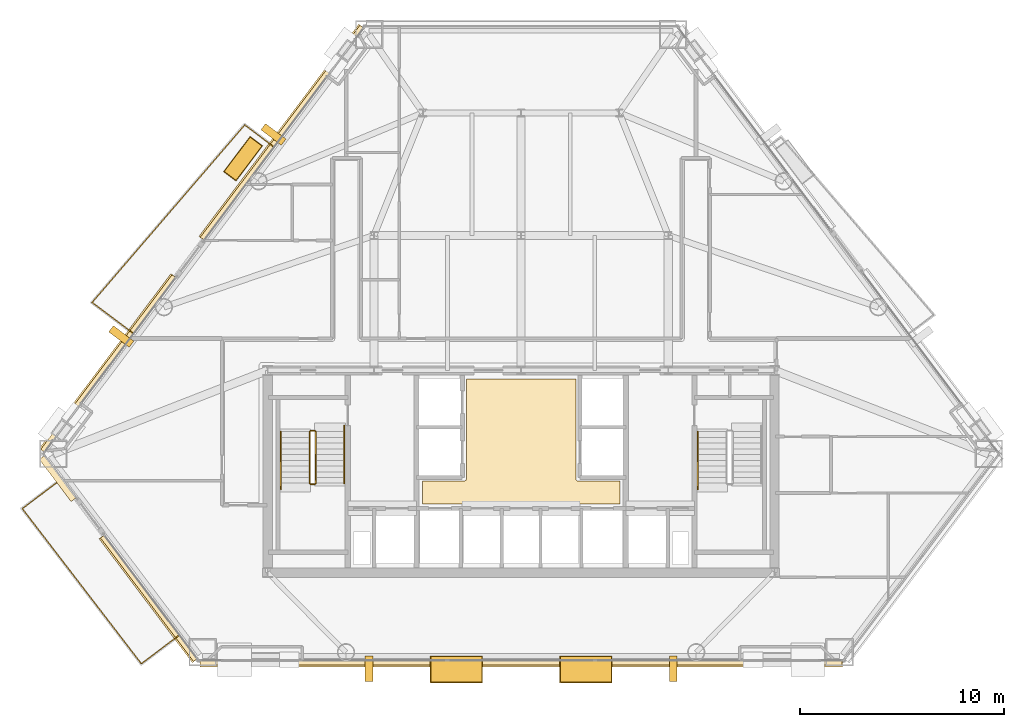
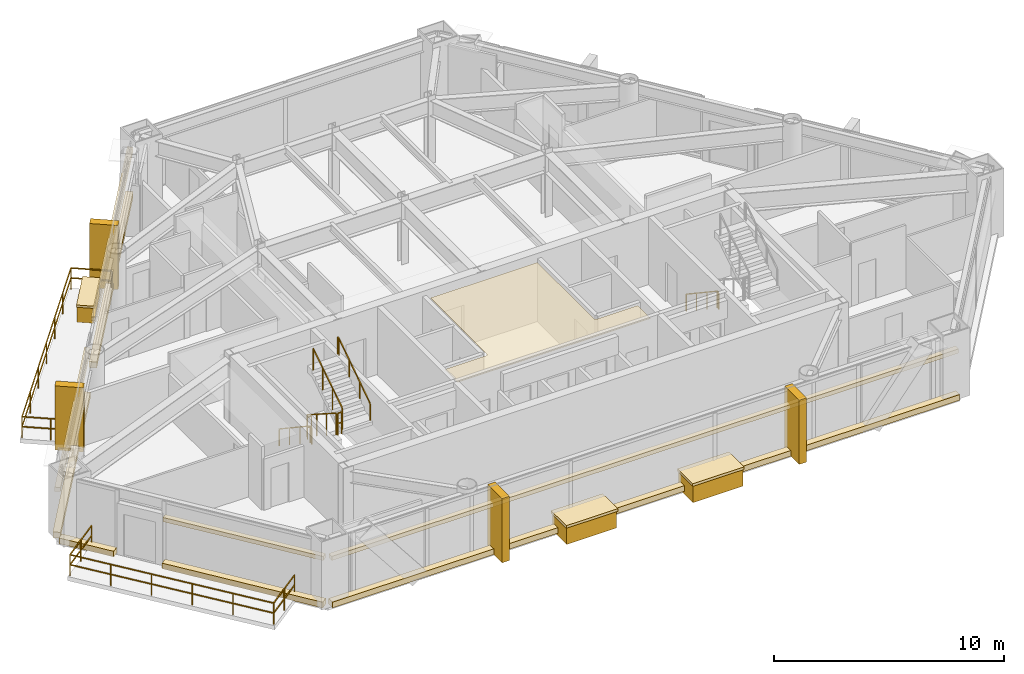
# One storey, part 13 of 14: 20 coverings, 9 railings.
"""IFC4 building model written with IfcOpenShell, lengths in metres."""

from ifc_helpers import new_model, si_unit, direction, frame, origin, origin_2d, place, context, subcontext, project, spatial, polyline, rectangle, outline, extrude, material, layer, layer_set, type_object, element, save


model = new_model("IFC4")

# Units and contexts
model_context = context("Model", 3, precision=1e-05, world=origin(), true_north=direction((0.0, 1.0)))
body_context = subcontext(model_context, "Body", "Model", "MODEL_VIEW")
ifc_project = project(units=[si_unit("LENGTHUNIT", "METRE"), si_unit("AREAUNIT", "SQUARE_METRE"), si_unit("VOLUMEUNIT", "CUBIC_METRE"), si_unit("PLANEANGLEUNIT", "RADIAN"), si_unit("MASSUNIT", "GRAM", prefix="KILO")], contexts=[model_context])

# Site, building, storey
site_placement = place(None, origin())
site = spatial("IfcSite", under=ifc_project, at=site_placement, CompositionType="ELEMENT")
building_placement = place(site_placement, origin())
building = spatial("IfcBuilding", under=site, at=building_placement, Name="Talgorran Terracotta Tower", CompositionType="ELEMENT")
storey_placement = place(building_placement, frame((0.0, 0.0, 53.10009765625)))
storey = spatial("IfcBuildingStorey", under=building, at=storey_placement, Name="L13", CompositionType="ELEMENT", Elevation=53.10009765625)

# Coverings
ifc_material_1 = material(Name="Kiln-Fired Terracotta Ochre Ceramic", Category="masonry")
ifc_layer_1 = layer(ifc_material_1, 0.179931640625, Name="COV_BAGUETTE_TERRACOTTA_SCREEN")
ifc_layer_set_1 = layer_set([ifc_layer_1], Name="Kiln-Fired Terracotta Ochre Ceramic")
covering_type_1 = type_object("IfcCoveringType", Name="COV_BAGUETTE_TERRACOTTA_SCREEN", PredefinedType="CLADDING", material=ifc_layer_set_1)
covering_1_placement = place(storey_placement, frame((-18.19873046875, -15.34326171875, 2.41015625), z_axis=(0.0, 0.0, 1.0), x_axis=(0.601452551903, -0.798908522805, 0.0)))
element("IfcCovering", 1, at=covering_1_placement, inside=storey, type_object=covering_type_1, Name="L13 Terracotta Baguette Solar Screen Assembly F11", PredefinedType="CLADDING", context=body_context, shape_type="SweptSolid", body=[
    extrude(rectangle(XDim=7.560546875, YDim=0.260009765625, at=origin_2d()), origin(), (0.0, 0.0, 1.0), 0.219970703125),
])
covering_2_placement = place(storey_placement, frame((0.0, -18.4912109375, 2.41015625), z_axis=(0.0, 0.0, 1.0), x_axis=(1.0, 0.0, 0.0)))
element("IfcCovering", 2, at=covering_2_placement, inside=storey, type_object=covering_type_1, Name="L13 Terracotta Baguette Solar Screen Assembly F1", PredefinedType="CLADDING", context=body_context, shape_type="SweptSolid", body=[
    extrude(rectangle(XDim=31.418212890625, YDim=0.260009765625, at=origin_2d()), origin(), (0.0, 0.0, 1.0), 0.219970703125),
])
covering_3_placement = place(storey_placement, frame((-11.68701171875, 7.419921875, 2.41015625), z_axis=(0.0, 0.0, 1.0), x_axis=(-0.601438608227, -0.79891902001, 0.0)))
element("IfcCovering", 3, at=covering_3_placement, inside=storey, type_object=covering_type_1, Name="L13 Terracotta Baguette Solar Screen Assembly F60", PredefinedType="CLADDING", context=body_context, shape_type="SweptSolid", body=[
    extrude(rectangle(XDim=12.9814453125, YDim=0.260009765625, at=origin_2d()), origin(), (0.0, 0.0, 1.0), 0.219970703125),
])
covering_4_placement = place(storey_placement, frame((-20.18701171875, -3.870849609375, 2.41015625), z_axis=(0.0, 0.0, 1.0), x_axis=(-0.601438608227, -0.79891902001, 0.0)))
element("IfcCovering", 4, at=covering_4_placement, inside=storey, type_object=covering_type_1, Name="L13 Terracotta Baguette Solar Screen Assembly F61", PredefinedType="CLADDING", context=body_context, shape_type="SweptSolid", body=[
    extrude(rectangle(XDim=10.68359375, YDim=0.260009765625, at=origin_2d()), origin(), (0.0, 0.0, 1.0), 0.219970703125),
])
ifc_material_2 = material(Name="Flush Moisture-Resistant Plaster")
ifc_layer_2 = layer(ifc_material_2, 0.01806640625, Name="COV_CEIL_PLASTER")
ifc_layer_set_2 = layer_set([ifc_layer_2], Name="Flush Moisture-Resistant Plaster")
covering_type_2 = type_object("IfcCoveringType", Name="COV_CEIL_PLASTER", PredefinedType="CEILING", material=ifc_layer_set_2)
covering_5_placement = place(storey_placement, frame((0.0, 0.0, 3.260009765625)))
element("IfcCovering", 5, at=covering_5_placement, inside=storey, type_object=covering_type_2, Name="CEIL-L13-1", PredefinedType="CEILING", context=body_context, shape_type="SweptSolid", body=[
    extrude(outline(polyline([(-4.830078125, -9.6201171875), (-2.800048828125, -9.6201171875), (-2.7880859375, -9.619384765625), (-2.776611328125, -9.61767578125), (-2.76513671875, -9.61474609375), (-2.754150390625, -9.61083984375), (-2.743408203125, -9.605712890625), (-2.7333984375, -9.599853515625), (-2.723876953125, -9.5927734375), (-2.715087890625, -9.5849609375), (-2.707275390625, -9.576171875), (-2.7001953125, -9.566650390625), (-2.694091796875, -9.556640625), (-2.689208984375, -9.5458984375), (-2.685302734375, -9.534912109375), (-2.682373046875, -9.5234375), (-2.6806640625, -9.51171875), (-2.679931640625, -9.5), (-2.679931640625, -4.6201171875), (2.679931640625, -4.6201171875), (2.679931640625, -9.5), (2.6806640625, -9.51171875), (2.682373046875, -9.5234375), (2.685302734375, -9.534912109375), (2.689208984375, -9.5458984375), (2.694091796875, -9.556640625), (2.7001953125, -9.566650390625), (2.707275390625, -9.576171875), (2.715087890625, -9.5849609375), (2.723876953125, -9.5927734375), (2.7333984375, -9.599853515625), (2.743408203125, -9.605712890625), (2.754150390625, -9.61083984375), (2.76513671875, -9.61474609375), (2.776611328125, -9.61767578125), (2.7880859375, -9.619384765625), (2.800048828125, -9.6201171875), (4.830078125, -9.6201171875), (4.830078125, -10.72998046875), (-4.830078125, -10.72998046875), (-4.830078125, -9.6201171875)])), origin(), (0.0, 0.0, 1.0), 0.019775390625),
])
ifc_material_3 = material(Name="Honed Limestone and Terracotta Planter", Category="masonry")
ifc_layer_3 = layer(ifc_material_3, 0.1201171875, Name="COV_PLANTER_BOX")
ifc_layer_set_3 = layer_set([ifc_layer_3], Name="Honed Limestone and Terracotta Planter")
covering_type_3 = type_object("IfcCoveringType", Name="COV_PLANTER_BOX", PredefinedType="CLADDING", material=ifc_layer_set_3)
for number, where, z_axis, x_axis, name in (
    (6, (-3.167724609375, -18.8310546875, -0.18017578125), (0.0, 0.0, 1.0), (1.0, 0.0, 0.0), "L13 Staggered South Facade Planter Box 1"),
    (7, (3.167724609375, -18.8310546875, -0.18017578125), (0.0, 0.0, 1.0), (1.0, 0.0, 0.0), "L13 Staggered South Facade Planter Box 2"),
):
    element("IfcCovering", number, at=place(storey_placement, frame(where, z_axis=z_axis, x_axis=x_axis)), inside=storey, type_object=covering_type_3, Name=name, PredefinedType="CLADDING", context=body_context, shape_type="SweptSolid", body=[
        extrude(rectangle(XDim=2.5, YDim=1.25, at=origin_2d()), origin(), (0.0, 0.0, 1.0), 0.919921875),
    ])
covering_6_placement = place(storey_placement, frame((-13.603271484375, 6.15478515625, -0.02001953125), z_axis=(0.0, 0.0, 1.0), x_axis=(-0.601438608227, -0.79891902001, 0.0)))
element("IfcCovering", 8, at=covering_6_placement, inside=storey, type_object=covering_type_3, Name="L13 Staggered Balcony Planter Box BAL-NW", PredefinedType="CLADDING", context=body_context, shape_type="SweptSolid", body=[
    extrude(rectangle(XDim=2.10009765625, YDim=0.719970703125, at=origin_2d()), origin(), (0.0, 0.0, 1.0), 0.860107421875),
])
ifc_material_4 = material(Name="Kiln-Fired Terracotta Planter Rim", Category="masonry")
ifc_layer_4 = layer(ifc_material_4, 0.10009765625, Name="COV_PLANTER_RIM")
ifc_layer_set_4 = layer_set([ifc_layer_4], Name="Kiln-Fired Terracotta Planter Rim")
covering_type_4 = type_object("IfcCoveringType", Name="COV_PLANTER_RIM", PredefinedType="CLADDING", material=ifc_layer_set_4)
for number, where, z_axis, x_axis, name in (
    (9, (-3.167724609375, -18.8310546875, 0.7099609375), (0.0, 0.0, 1.0), (1.0, 0.0, 0.0), "L13 South Planter Terracotta Rim 1"),
    (10, (3.167724609375, -18.8310546875, 0.7099609375), (0.0, 0.0, 1.0), (1.0, 0.0, 0.0), "L13 South Planter Terracotta Rim 2"),
):
    element("IfcCovering", number, at=place(storey_placement, frame(where, z_axis=z_axis, x_axis=x_axis)), inside=storey, type_object=covering_type_4, Name=name, PredefinedType="CLADDING", context=body_context, shape_type="SweptSolid", body=[
        extrude(rectangle(XDim=2.580078125, YDim=1.320068359375, at=origin_2d()), origin(), (0.0, 0.0, 1.0), 0.139892578125),
    ])
covering_7_placement = place(storey_placement, frame((-13.603271484375, 6.15478515625, 0.7998046875), z_axis=(0.0, 0.0, 1.0), x_axis=(-0.601438608227, -0.79891902001, 0.0)))
element("IfcCovering", 11, at=covering_7_placement, inside=storey, type_object=covering_type_4, Name="L13 Balcony Planter Terracotta Rim BAL-NW", PredefinedType="CLADDING", context=body_context, shape_type="SweptSolid", body=[
    extrude(rectangle(XDim=2.179931640625, YDim=0.780029296875, at=origin_2d()), origin(), (0.0, 0.0, 1.0), 0.1201171875),
])
ifc_material_5 = material(Name="Honed Limestone Cladding", Category="masonry")
ifc_layer_5 = layer(ifc_material_5, 0.094970703125, Name="COV_PORTAL_LIME")
ifc_layer_set_5 = layer_set([ifc_layer_5], Name="Honed Limestone Cladding")
covering_type_5 = type_object("IfcCoveringType", Name="COV_PORTAL_LIME", PredefinedType="CLADDING", material=ifc_layer_set_5)
for number, where, z_axis, x_axis, name in (
    (12, (-7.4443359375, -18.791015625, -0.050048828125), (0.0, 0.0, 1.0), (1.0, 0.0, 0.0), "L13 White Striped Portal Fin F1-1"),
    (13, (-12.1181640625, 7.34619140625, -0.050048828125), (0.0, 0.0, 1.0), (-0.601438608227, -0.79891902001, 0.0), "L13 White Striped Portal Fin F5-1"),
):
    element("IfcCovering", number, at=place(storey_placement, frame(where, z_axis=z_axis, x_axis=x_axis)), inside=storey, type_object=covering_type_5, Name=name, PredefinedType="CLADDING", context=body_context, shape_type="SweptSolid", body=[
        extrude(rectangle(XDim=0.3798828125, YDim=1.25, at=origin_2d()), origin(), (0.0, 0.0, 1.0), 3.39990234375),
    ])
ifc_material_6 = material(Name="Kiln-Fired Terracotta Cladding", Category="masonry")
ifc_layer_6 = layer(ifc_material_6, 0.090087890625, Name="COV_PORTAL_TERRA")
ifc_layer_set_6 = layer_set([ifc_layer_6], Name="Kiln-Fired Terracotta Cladding")
covering_type_6 = type_object("IfcCoveringType", Name="COV_PORTAL_TERRA", PredefinedType="CLADDING", material=ifc_layer_set_6)
covering_8_placement = place(storey_placement, frame((-22.65966796875, -9.484130859375, -0.0400390625), z_axis=(0.0, 0.0, 1.0), x_axis=(0.601438608227, -0.79891902001, 0.0)))
element("IfcCovering", 14, at=covering_8_placement, inside=storey, type_object=covering_type_6, Name="L13 Striped Postmodern Portal Cladding Band F10", PredefinedType="CLADDING", context=body_context, shape_type="SweptSolid", body=[
    extrude(rectangle(XDim=2.5869140625, YDim=0.340087890625, at=origin_2d()), origin(), (0.0, 0.0, 1.0), 0.300048828125),
])
covering_9_placement = place(storey_placement, frame((-18.230712890625, -15.3671875, -0.0400390625), z_axis=(0.0, 0.0, 1.0), x_axis=(0.601452551903, -0.798908522805, 0.0)))
element("IfcCovering", 15, at=covering_9_placement, inside=storey, type_object=covering_type_6, Name="L13 Striped Postmodern Portal Cladding Band F11", PredefinedType="CLADDING", context=body_context, shape_type="SweptSolid", body=[
    extrude(rectangle(XDim=7.58056640625, YDim=0.340087890625, at=origin_2d()), origin(), (0.0, 0.0, 1.0), 0.300048828125),
])
covering_10_placement = place(storey_placement, frame((0.0, -18.531005859375, -0.0400390625), z_axis=(0.0, 0.0, 1.0), x_axis=(1.0, 0.0, 0.0)))
element("IfcCovering", 16, at=covering_10_placement, inside=storey, type_object=covering_type_6, Name="L13 Striped Postmodern Portal Cladding Band F1", PredefinedType="CLADDING", context=body_context, shape_type="SweptSolid", body=[
    extrude(rectangle(XDim=31.438232421875, YDim=0.340087890625, at=origin_2d()), origin(), (0.0, 0.0, 1.0), 0.300048828125),
])
covering_11_placement = place(storey_placement, frame((-11.718994140625, 7.444091796875, -0.0400390625), z_axis=(0.0, 0.0, 1.0), x_axis=(-0.601438608227, -0.79891902001, 0.0)))
element("IfcCovering", 17, at=covering_11_placement, inside=storey, type_object=covering_type_6, Name="L13 Striped Postmodern Portal Cladding Band F60", PredefinedType="CLADDING", context=body_context, shape_type="SweptSolid", body=[
    extrude(rectangle(XDim=13.00146484375, YDim=0.340087890625, at=origin_2d()), origin(), (0.0, 0.0, 1.0), 0.300048828125),
])
covering_12_placement = place(storey_placement, frame((-20.21875, -3.8466796875, -0.0400390625), z_axis=(0.0, 0.0, 1.0), x_axis=(-0.601438608227, -0.79891902001, 0.0)))
element("IfcCovering", 18, at=covering_12_placement, inside=storey, type_object=covering_type_6, Name="L13 Striped Postmodern Portal Cladding Band F61", PredefinedType="CLADDING", context=body_context, shape_type="SweptSolid", body=[
    extrude(rectangle(XDim=10.70361328125, YDim=0.340087890625, at=origin_2d()), origin(), (0.0, 0.0, 1.0), 0.300048828125),
])
for number, where, z_axis, x_axis, name in (
    (19, (7.4443359375, -18.791015625, -0.050048828125), (0.0, 0.0, 1.0), (1.0, 0.0, 0.0), "L13 Terracotta Striped Portal Fin F1-2"),
    (20, (-19.5625, -2.54248046875, -0.050048828125), (0.0, 0.0, 1.0), (-0.601438608227, -0.79891902001, 0.0), "L13 Terracotta Striped Portal Fin F5-2"),
):
    element("IfcCovering", number, at=place(storey_placement, frame(where, z_axis=z_axis, x_axis=x_axis)), inside=storey, type_object=covering_type_6, Name=name, PredefinedType="CLADDING", context=body_context, shape_type="SweptSolid", body=[
        extrude(rectangle(XDim=0.3798828125, YDim=1.25, at=origin_2d()), origin(), (0.0, 0.0, 1.0), 3.39990234375),
    ])

# Railings
ifc_material_7 = material(Name="Laminated Glass and Stainless Steel 316", Category="steel")
railing_type_1 = type_object("IfcRailingType", Name="RL_BALCONY_1150", PredefinedType="BALUSTRADE", material=ifc_material_7)
railing_1_placement = place(storey_placement, frame((-12.100341796875, 6.738037109375, 0.0)))
element("IfcRailing", 21, at=railing_1_placement, inside=storey, type_object=railing_type_1, Name="RL-L13-BAL-BAL-NW", PredefinedType="BALUSTRADE", context=body_context, shape_type="SweptSolid", body=[
    extrude(rectangle(XDim=0.048095703125, YDim=0.048095703125, at=origin_2d()), frame((0.0, 0.0, 1.1259765625), z_axis=(-0.798896345708, 0.601468726381, 0.0), x_axis=(-0.601468726381, -0.798896345708, 0.0)), (0.0, 0.0, 1.0), 1.78076171875),
    extrude(rectangle(XDim=0.048095703125, YDim=0.048095703125, at=origin_2d()), frame((0.0, 0.0, 0.597900390625), z_axis=(-0.798896345708, 0.601468726381, 0.0), x_axis=(-0.601468726381, -0.798896345708, 0.0)), (0.0, 0.0, 1.0), 1.78076171875),
    extrude(rectangle(XDim=0.048095703125, YDim=0.048095703125, at=origin_2d()), frame((-1.422607421875, 1.071044921875, 1.1259765625), z_axis=(-0.651842425465, -0.758354437162, 0.0), x_axis=(0.758354437162, -0.651842425465, 0.0)), (0.0, 0.0, 1.0), 11.45166015625),
    extrude(rectangle(XDim=0.048095703125, YDim=0.048095703125, at=origin_2d()), frame((-1.422607421875, 1.071044921875, 0.597900390625), z_axis=(-0.651842425465, -0.758354437162, 0.0), x_axis=(0.758354437162, -0.651842425465, 0.0)), (0.0, 0.0, 1.0), 11.45166015625),
    extrude(rectangle(XDim=0.048095703125, YDim=0.048095703125, at=origin_2d()), frame((-8.88720703125, -7.61328125, 1.1259765625), z_axis=(0.798941378026, -0.60140890788, 0.0), x_axis=(0.60140890788, 0.798941378026, 0.0)), (0.0, 0.0, 1.0), 2.521240234375),
    extrude(rectangle(XDim=0.048095703125, YDim=0.048095703125, at=origin_2d()), frame((-8.88720703125, -7.61328125, 0.597900390625), z_axis=(0.798941378026, -0.60140890788, 0.0), x_axis=(0.60140890788, 0.798941378026, 0.0)), (0.0, 0.0, 1.0), 2.521240234375),
    extrude(rectangle(XDim=0.0419921875, YDim=0.0419921875, at=origin_2d()), origin(), (0.0, 0.0, 1.0), 1.101806640625),
    extrude(rectangle(XDim=0.0419921875, YDim=0.0419921875, at=origin_2d()), frame((-1.422607421875, 1.071044921875, 0.0)), (0.0, 0.0, 1.0), 1.101806640625),
    extrude(rectangle(XDim=0.0419921875, YDim=0.0419921875, at=origin_2d()), frame((-2.666748046875, -0.37646484375, 0.0)), (0.0, 0.0, 1.0), 1.101806640625),
    extrude(rectangle(XDim=0.0419921875, YDim=0.0419921875, at=origin_2d()), frame((-3.910888671875, -1.82373046875, 0.0)), (0.0, 0.0, 1.0), 1.101806640625),
    extrude(rectangle(XDim=0.0419921875, YDim=0.0419921875, at=origin_2d()), frame((-5.15478515625, -3.27099609375, 0.0)), (0.0, 0.0, 1.0), 1.101806640625),
    extrude(rectangle(XDim=0.0419921875, YDim=0.0419921875, at=origin_2d()), frame((-6.39892578125, -4.718505859375, 0.0)), (0.0, 0.0, 1.0), 1.101806640625),
    extrude(rectangle(XDim=0.0419921875, YDim=0.0419921875, at=origin_2d()), frame((-7.64306640625, -6.166015625, 0.0)), (0.0, 0.0, 1.0), 1.101806640625),
    extrude(rectangle(XDim=0.0419921875, YDim=0.0419921875, at=origin_2d()), frame((-8.88720703125, -7.61328125, 0.0)), (0.0, 0.0, 1.0), 1.101806640625),
    extrude(rectangle(XDim=0.0419921875, YDim=0.0419921875, at=origin_2d()), frame((-7.8798828125, -8.37158203125, 0.0)), (0.0, 0.0, 1.0), 1.101806640625),
    extrude(rectangle(XDim=0.0419921875, YDim=0.0419921875, at=origin_2d()), frame((-6.872802734375, -9.129638671875, 0.0)), (0.0, 0.0, 1.0), 1.101806640625),
])
railing_2_placement = place(storey_placement, frame((-22.484619140625, -9.517333984375, 0.0)))
element("IfcRailing", 22, at=railing_2_placement, inside=storey, type_object=railing_type_1, Name="RL-L13-BAL-BAL-SW", PredefinedType="BALUSTRADE", context=body_context, shape_type="SweptSolid", body=[
    extrude(rectangle(XDim=0.048095703125, YDim=0.048095703125, at=origin_2d()), frame((0.0, 0.0, 1.1259765625), z_axis=(-0.798926447017, -0.60142874246, 0.0), x_axis=(0.60142874246, -0.798926447017, 0.0)), (0.0, 0.0, 1.0), 2.404296875),
    extrude(rectangle(XDim=0.048095703125, YDim=0.048095703125, at=origin_2d()), frame((0.0, 0.0, 0.597900390625), z_axis=(-0.798926447017, -0.60142874246, 0.0), x_axis=(0.60142874246, -0.798926447017, 0.0)), (0.0, 0.0, 1.0), 2.404296875),
    extrude(rectangle(XDim=0.048095703125, YDim=0.048095703125, at=origin_2d()), frame((-1.9208984375, -1.446044921875, 1.1259765625), z_axis=(0.608795254388, -0.793327384019, 0.0), x_axis=(0.793327384019, 0.608795254388, 0.0)), (0.0, 0.0, 1.0), 9.56689453125),
    extrude(rectangle(XDim=0.048095703125, YDim=0.048095703125, at=origin_2d()), frame((-1.9208984375, -1.446044921875, 0.597900390625), z_axis=(0.608795254388, -0.793327384019, 0.0), x_axis=(0.793327384019, 0.608795254388, 0.0)), (0.0, 0.0, 1.0), 9.56689453125),
    extrude(rectangle(XDim=0.048095703125, YDim=0.048095703125, at=origin_2d()), frame((3.9033203125, -9.03564453125, 1.1259765625), z_axis=(0.798948830498, 0.60139900752, 0.0), x_axis=(-0.60139900752, 0.798948830498, 0.0)), (0.0, 0.0, 1.0), 2.31591796875),
    extrude(rectangle(XDim=0.048095703125, YDim=0.048095703125, at=origin_2d()), frame((3.9033203125, -9.03564453125, 0.597900390625), z_axis=(0.798948830498, 0.60139900752, 0.0), x_axis=(-0.60139900752, 0.798948830498, 0.0)), (0.0, 0.0, 1.0), 2.31591796875),
    extrude(rectangle(XDim=0.0419921875, YDim=0.0419921875, at=origin_2d()), origin(), (0.0, 0.0, 1.0), 1.101806640625),
    extrude(rectangle(XDim=0.0419921875, YDim=0.0419921875, at=origin_2d()), frame((-0.96044921875, -0.72314453125, 0.0)), (0.0, 0.0, 1.0), 1.101806640625),
    extrude(rectangle(XDim=0.0419921875, YDim=0.0419921875, at=origin_2d()), frame((-1.9208984375, -1.446044921875, 0.0)), (0.0, 0.0, 1.0), 1.101806640625),
    extrude(rectangle(XDim=0.0419921875, YDim=0.0419921875, at=origin_2d()), frame((-0.756103515625, -2.9638671875, 0.0)), (0.0, 0.0, 1.0), 1.101806640625),
    extrude(rectangle(XDim=0.0419921875, YDim=0.0419921875, at=origin_2d()), frame((0.40869140625, -4.48193359375, 0.0)), (0.0, 0.0, 1.0), 1.101806640625),
    extrude(rectangle(XDim=0.0419921875, YDim=0.0419921875, at=origin_2d()), frame((1.57373046875, -5.999755859375, 0.0)), (0.0, 0.0, 1.0), 1.101806640625),
    extrude(rectangle(XDim=0.0419921875, YDim=0.0419921875, at=origin_2d()), frame((2.738525390625, -7.517822265625, 0.0)), (0.0, 0.0, 1.0), 1.101806640625),
    extrude(rectangle(XDim=0.0419921875, YDim=0.0419921875, at=origin_2d()), frame((3.9033203125, -9.03564453125, 0.0)), (0.0, 0.0, 1.0), 1.101806640625),
    extrude(rectangle(XDim=0.0419921875, YDim=0.0419921875, at=origin_2d()), frame((4.82861328125, -8.33935546875, 0.0)), (0.0, 0.0, 1.0), 1.101806640625),
    extrude(rectangle(XDim=0.0419921875, YDim=0.0419921875, at=origin_2d()), frame((5.753662109375, -7.642822265625, 0.0)), (0.0, 0.0, 1.0), 1.101806640625),
])
ifc_material_8 = material(Name="Steel S355 (300PLUS)", Category="steel")
railing_type_2 = type_object("IfcRailingType", Name="RL_HANDRAIL_920", PredefinedType="HANDRAIL", material=ifc_material_8)
railing_3_placement = place(storey_placement, frame((-11.75, -7.199951171875, 0.179931640625)))
element("IfcRailing", 23, at=railing_3_placement, inside=storey, type_object=railing_type_2, Name="L13 ST-01 stair handrail 1", PredefinedType="HANDRAIL", context=body_context, shape_type="SweptSolid", body=[
    extrude(rectangle(XDim=0.048095703125, YDim=0.048095703125, at=origin_2d()), frame((0.0, 0.0, 0.89599609375), z_axis=(0.0, -0.832038719335, 0.554717558338), x_axis=(1.0, 0.0, 0.0)), (0.0, 0.0, 1.0), 3.244873046875),
    extrude(rectangle(XDim=0.048095703125, YDim=0.048095703125, at=origin_2d()), frame((0.0, -2.699951171875, 2.69580078125), z_axis=(0.0, -1.0, 0.0), x_axis=(1.0, 0.0, 0.0)), (0.0, 0.0, 1.0), 0.1201171875),
    extrude(rectangle(XDim=0.0419921875, YDim=0.0419921875, at=origin_2d()), origin(), (0.0, 0.0, 1.0), 0.871826171875),
    extrude(rectangle(XDim=0.0419921875, YDim=0.0419921875, at=origin_2d()), frame((0.0, -0.89990234375, 0.60009765625)), (0.0, 0.0, 1.0), 0.871826171875),
    extrude(rectangle(XDim=0.0419921875, YDim=0.0419921875, at=origin_2d()), frame((0.0, -1.800048828125, 1.199951171875)), (0.0, 0.0, 1.0), 0.871826171875),
    extrude(rectangle(XDim=0.0419921875, YDim=0.0419921875, at=origin_2d()), frame((0.0, -2.699951171875, 1.800048828125)), (0.0, 0.0, 1.0), 0.871826171875),
    extrude(rectangle(XDim=0.0419921875, YDim=0.0419921875, at=origin_2d()), frame((0.0, -2.820068359375, 1.800048828125)), (0.0, 0.0, 1.0), 0.871826171875),
])
railing_4_placement = place(storey_placement, frame((-8.64990234375, -9.719970703125, 1.97998046875)))
element("IfcRailing", 24, at=railing_4_placement, inside=storey, type_object=railing_type_2, Name="L13 ST-01 stair handrail 2", PredefinedType="HANDRAIL", context=body_context, shape_type="SweptSolid", body=[
    extrude(rectangle(XDim=0.048095703125, YDim=0.048095703125, at=origin_2d()), frame((0.0, 0.0, 0.89599609375), z_axis=(0.0, 0.832073444223, 0.554665469827), x_axis=(-1.0, 0.0, 0.0)), (0.0, 0.0, 1.0), 3.244873046875),
    extrude(rectangle(XDim=0.048095703125, YDim=0.048095703125, at=origin_2d()), frame((0.0, 2.699951171875, 2.69580078125), z_axis=(0.0, 1.0, 0.0), x_axis=(-1.0, 0.0, 0.0)), (0.0, 0.0, 1.0), 0.1201171875),
    extrude(rectangle(XDim=0.0419921875, YDim=0.0419921875, at=origin_2d()), origin(), (0.0, 0.0, 1.0), 0.871826171875),
    extrude(rectangle(XDim=0.0419921875, YDim=0.0419921875, at=origin_2d()), frame((0.0, 0.89990234375, 0.599853515625)), (0.0, 0.0, 1.0), 0.871826171875),
    extrude(rectangle(XDim=0.0419921875, YDim=0.0419921875, at=origin_2d()), frame((0.0, 1.800048828125, 1.199951171875)), (0.0, 0.0, 1.0), 0.871826171875),
    extrude(rectangle(XDim=0.0419921875, YDim=0.0419921875, at=origin_2d()), frame((0.0, 2.699951171875, 1.7998046875)), (0.0, 0.0, 1.0), 0.871826171875),
    extrude(rectangle(XDim=0.0419921875, YDim=0.0419921875, at=origin_2d()), frame((0.0, 2.820068359375, 1.7998046875)), (0.0, 0.0, 1.0), 0.871826171875),
])
railing_5_placement = place(storey_placement, frame((8.64990234375, -7.199951171875, 0.179931640625)))
element("IfcRailing", 25, at=railing_5_placement, inside=storey, type_object=railing_type_2, Name="L13 ST-02 stair handrail 1", PredefinedType="HANDRAIL", context=body_context, shape_type="SweptSolid", body=[
    extrude(rectangle(XDim=0.048095703125, YDim=0.048095703125, at=origin_2d()), frame((0.0, 0.0, 0.89599609375), z_axis=(0.0, -0.832038719335, 0.554717558338), x_axis=(1.0, 0.0, 0.0)), (0.0, 0.0, 1.0), 3.244873046875),
    extrude(rectangle(XDim=0.048095703125, YDim=0.048095703125, at=origin_2d()), frame((0.0, -2.699951171875, 2.69580078125), z_axis=(0.0, -1.0, 0.0), x_axis=(1.0, 0.0, 0.0)), (0.0, 0.0, 1.0), 0.1201171875),
    extrude(rectangle(XDim=0.0419921875, YDim=0.0419921875, at=origin_2d()), origin(), (0.0, 0.0, 1.0), 0.871826171875),
    extrude(rectangle(XDim=0.0419921875, YDim=0.0419921875, at=origin_2d()), frame((0.0, -0.89990234375, 0.60009765625)), (0.0, 0.0, 1.0), 0.871826171875),
    extrude(rectangle(XDim=0.0419921875, YDim=0.0419921875, at=origin_2d()), frame((0.0, -1.800048828125, 1.199951171875)), (0.0, 0.0, 1.0), 0.871826171875),
    extrude(rectangle(XDim=0.0419921875, YDim=0.0419921875, at=origin_2d()), frame((0.0, -2.699951171875, 1.800048828125)), (0.0, 0.0, 1.0), 0.871826171875),
    extrude(rectangle(XDim=0.0419921875, YDim=0.0419921875, at=origin_2d()), frame((0.0, -2.820068359375, 1.800048828125)), (0.0, 0.0, 1.0), 0.871826171875),
])
railing_type_3 = type_object("IfcRailingType", Name="RL_STAIR_GUARD", PredefinedType="GUARDRAIL", material=ifc_material_8)
railing_6_placement = place(storey_placement, frame((-10.35009765625, -7.199951171875, 0.179931640625)))
element("IfcRailing", 26, at=railing_6_placement, inside=storey, type_object=railing_type_3, Name="L13 ST-01 stair guard 1", PredefinedType="GUARDRAIL", context=body_context, shape_type="SweptSolid", body=[
    extrude(rectangle(XDim=0.048095703125, YDim=0.048095703125, at=origin_2d()), frame((0.0, 0.0, 1.15576171875), z_axis=(0.0, -0.841199657755, 0.540724639528), x_axis=(1.0, 0.0, 0.0)), (0.0, 0.0, 1.0), 2.995849609375),
    extrude(rectangle(XDim=0.0419921875, YDim=0.0419921875, at=origin_2d()), origin(), (0.0, 0.0, 1.0), 1.1318359375),
    extrude(rectangle(XDim=0.0419921875, YDim=0.0419921875, at=origin_2d()), frame((0.0, -0.840087890625, 0.5400390625)), (0.0, 0.0, 1.0), 1.1318359375),
    extrude(rectangle(XDim=0.0419921875, YDim=0.0419921875, at=origin_2d()), frame((0.0, -1.679931640625, 1.079833984375)), (0.0, 0.0, 1.0), 1.1318359375),
    extrude(rectangle(XDim=0.0419921875, YDim=0.0419921875, at=origin_2d()), frame((0.0, -2.52001953125, 1.619873046875)), (0.0, 0.0, 1.0), 1.1318359375),
])
railing_7_placement = place(storey_placement, frame((-10.300048828125, -9.77001953125, 1.7998046875)))
element("IfcRailing", 27, at=railing_7_placement, inside=storey, type_object=railing_type_3, Name="L13 ST-01 stair guard 2", PredefinedType="GUARDRAIL", context=body_context, shape_type="SweptSolid", body=[
    extrude(rectangle(XDim=0.048095703125, YDim=0.048095703125, at=origin_2d()), frame((0.0, 0.0, 1.15576171875), z_axis=(1.0, 0.0, 0.0), x_axis=(0.0, 1.0, 0.0)), (0.0, 0.0, 1.0), 0.199951171875),
    extrude(rectangle(XDim=0.048095703125, YDim=0.048095703125, at=origin_2d()), frame((0.0, 0.0, 0.613525390625), z_axis=(1.0, 0.0, 0.0), x_axis=(0.0, 1.0, 0.0)), (0.0, 0.0, 1.0), 0.199951171875),
    extrude(rectangle(XDim=0.0419921875, YDim=0.0419921875, at=origin_2d()), origin(), (0.0, 0.0, 1.0), 1.1318359375),
    extrude(rectangle(XDim=0.0419921875, YDim=0.0419921875, at=origin_2d()), frame((0.199951171875, 0.0, 0.0)), (0.0, 0.0, 1.0), 1.1318359375),
])
railing_8_placement = place(storey_placement, frame((-10.050048828125, -9.719970703125, 1.97998046875)))
element("IfcRailing", 28, at=railing_8_placement, inside=storey, type_object=railing_type_3, Name="L13 ST-01 stair guard 3", PredefinedType="GUARDRAIL", context=body_context, shape_type="SweptSolid", body=[
    extrude(rectangle(XDim=0.048095703125, YDim=0.048095703125, at=origin_2d()), frame((0.0, 0.0, 1.15576171875), z_axis=(0.0, 0.841199657755, 0.540724639528), x_axis=(-1.0, 0.0, 0.0)), (0.0, 0.0, 1.0), 2.995849609375),
    extrude(rectangle(XDim=0.0419921875, YDim=0.0419921875, at=origin_2d()), origin(), (0.0, 0.0, 1.0), 1.1318359375),
    extrude(rectangle(XDim=0.0419921875, YDim=0.0419921875, at=origin_2d()), frame((0.0, 0.840087890625, 0.5400390625)), (0.0, 0.0, 1.0), 1.1318359375),
    extrude(rectangle(XDim=0.0419921875, YDim=0.0419921875, at=origin_2d()), frame((0.0, 1.679931640625, 1.079833984375)), (0.0, 0.0, 1.0), 1.1318359375),
    extrude(rectangle(XDim=0.0419921875, YDim=0.0419921875, at=origin_2d()), frame((0.0, 2.52001953125, 1.619873046875)), (0.0, 0.0, 1.0), 1.1318359375),
])
railing_9_placement = place(storey_placement, frame((-10.300048828125, -7.14990234375, 0.0)))
element("IfcRailing", 29, at=railing_9_placement, inside=storey, type_object=railing_type_3, Name="L13 ST-01 stair guard 4", PredefinedType="GUARDRAIL", context=body_context, shape_type="SweptSolid", body=[
    extrude(rectangle(XDim=0.048095703125, YDim=0.048095703125, at=origin_2d()), frame((0.0, 0.0, 1.15576171875), z_axis=(1.0, 0.0, 0.0), x_axis=(0.0, 1.0, 0.0)), (0.0, 0.0, 1.0), 0.199951171875),
    extrude(rectangle(XDim=0.048095703125, YDim=0.048095703125, at=origin_2d()), frame((0.0, 0.0, 0.613525390625), z_axis=(1.0, 0.0, 0.0), x_axis=(0.0, 1.0, 0.0)), (0.0, 0.0, 1.0), 0.199951171875),
    extrude(rectangle(XDim=0.0419921875, YDim=0.0419921875, at=origin_2d()), origin(), (0.0, 0.0, 1.0), 1.1318359375),
    extrude(rectangle(XDim=0.0419921875, YDim=0.0419921875, at=origin_2d()), frame((0.199951171875, 0.0, 0.0)), (0.0, 0.0, 1.0), 1.1318359375),
])

save(model, "model.ifc")
